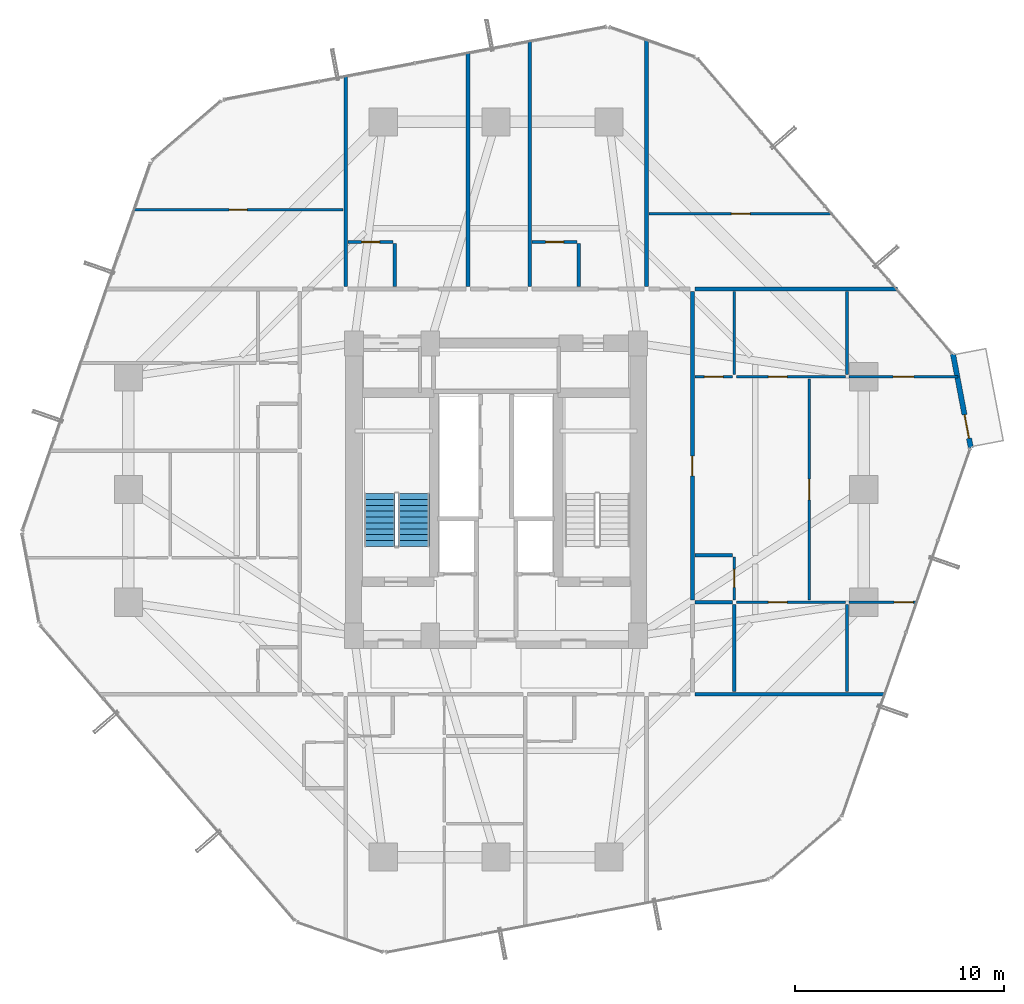
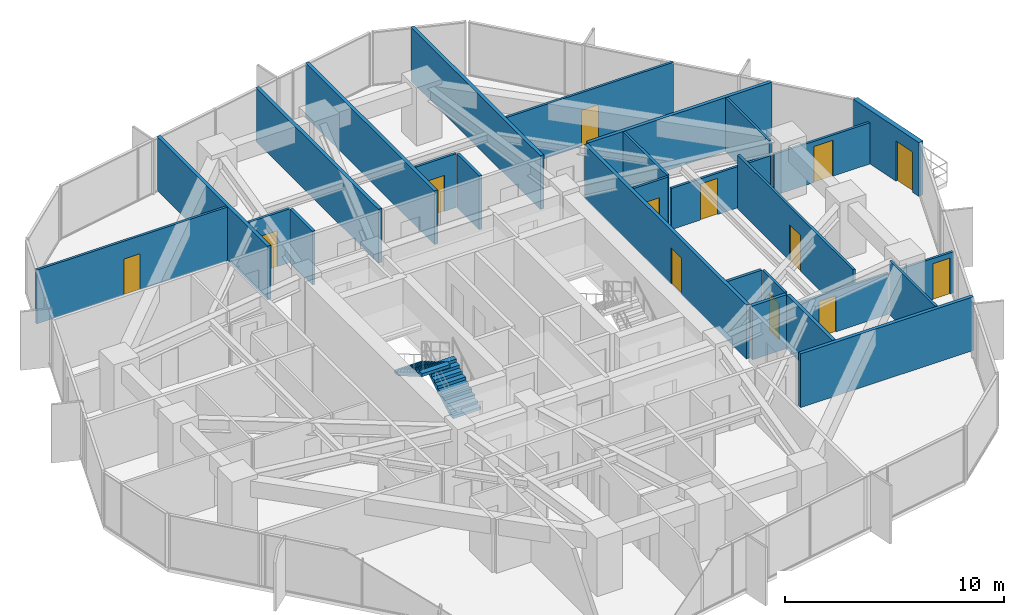
# One storey, part 35 of 38: 27 walls, 13 doors, 2 stair flights, 13 openings, 1 element without a shape of its own.
"""IFC4 building model written with IfcOpenShell, lengths in metres."""

from ifc_helpers import new_model, si_unit, direction, frame, frame_2d, origin, place, context, subcontext, project, spatial, polyline, rectangle, outline, extrude, source, transform, mapped, material, layer, layer_set, type_object, element, fill, aggregate, save


model = new_model("IFC4")

# Units and contexts
model_context = context("Model", 3, precision=1e-05, world=origin(), true_north=direction((0.0, 1.0)))
body_context = subcontext(model_context, "Body", "Model", "MODEL_VIEW")
ifc_project = project(units=[si_unit("LENGTHUNIT", "METRE"), si_unit("AREAUNIT", "SQUARE_METRE"), si_unit("VOLUMEUNIT", "CUBIC_METRE"), si_unit("PLANEANGLEUNIT", "RADIAN"), si_unit("MASSUNIT", "GRAM", prefix="KILO")], contexts=[model_context])

# Site, building, storey
site_placement = place(None, origin())
site = spatial("IfcSite", under=ifc_project, at=site_placement, CompositionType="ELEMENT")
building_placement = place(site_placement, origin())
building = spatial("IfcBuilding", under=site, at=building_placement, Name="Veraguas Prism Commons", CompositionType="ELEMENT")
storey_placement = place(building_placement, frame((0.0, 0.0, 60.85009765625)))
storey = spatial("IfcBuildingStorey", under=building, at=storey_placement, Name="L16", CompositionType="ELEMENT", Elevation=60.85009765625)

# Walls
ifc_material_1 = material(Name="Autoclaved aerated masonry block 10 MPa", Category="masonry")
ifc_layer_1 = layer(ifc_material_1, 0.179931640625, Name="Corridor and Inter-Tenancy Partition 180", Category="masonry")
ifc_layer_set_1 = layer_set([ifc_layer_1], Name="Autoclaved aerated masonry block 10 MPa")
wall_type_1 = type_object("IfcWallType", Name="Corridor and Inter-Tenancy Partition 180", PredefinedType="PARTITIONING", material=ifc_layer_set_1)
wall_1_placement = place(storey_placement, frame((16.800048828125, 33.719970703125, 0.0), z_axis=(0.0, 0.0, 1.0), x_axis=(0.0, 1.0, 0.0)))
element("IfcWall", 1, at=wall_1_placement, inside=storey, type_object=wall_type_1, Name="WL-L16-PT015", PredefinedType="PARTITIONING", context=body_context, shape_type="SweptSolid", body=[
    extrude(rectangle(XDim=10.09765625, YDim=0.179931640625, at=frame_2d((5.048828125, 0.0))), origin(), (0.0, 0.0, 1.0), 3.0),
])
wall_2_placement = place(storey_placement, frame((31.199951171875, 33.719970703125, 0.0), z_axis=(0.0, 0.0, 1.0), x_axis=(0.0, 1.0, 0.0)))
element("IfcWall", 2, at=wall_2_placement, inside=storey, type_object=wall_type_1, Name="WL-L16-PT016", PredefinedType="PARTITIONING", context=body_context, shape_type="SweptSolid", body=[
    extrude(rectangle(XDim=11.842529296875, YDim=0.179931640625, at=frame_2d((5.92138671875, 0.0))), origin(), (0.0, 0.0, 1.0), 3.0),
])
wall_3_placement = place(storey_placement, frame((22.657958984375, 33.719970703125, 0.0), z_axis=(0.0, 0.0, 1.0), x_axis=(0.0, 1.0, 0.0)))
element("IfcWall", 3, at=wall_3_placement, inside=storey, type_object=wall_type_1, Name="WL-L16-PT018", PredefinedType="PARTITIONING", context=body_context, shape_type="SweptSolid", body=[
    extrude(rectangle(XDim=11.213134765625, YDim=0.179931640625, at=frame_2d((5.6064453125, 0.0))), origin(), (0.0, 0.0, 1.0), 3.0),
])
wall_4_placement = place(storey_placement, frame((25.60791015625, 33.719970703125, 0.0), z_axis=(0.0, 0.0, 1.0), x_axis=(0.0, 1.0, 0.0)))
element("IfcWall", 4, at=wall_4_placement, inside=storey, type_object=wall_type_1, Name="WL-L16-PT022", PredefinedType="PARTITIONING", context=body_context, shape_type="SweptSolid", body=[
    extrude(rectangle(XDim=11.774658203125, YDim=0.179931640625, at=frame_2d((5.88720703125, 0.0))), origin(), (0.0, 0.0, 1.0), 3.0),
])
wall_5_placement = place(storey_placement, frame((33.52001953125, 14.199951171875, 0.0), z_axis=(0.0, 0.0, 1.0), x_axis=(1.0, 0.0, 0.0)))
element("IfcWall", 5, at=wall_5_placement, inside=storey, type_object=wall_type_1, Name="WL-L16-PT043", PredefinedType="PARTITIONING", context=body_context, shape_type="SweptSolid", body=[
    extrude(rectangle(XDim=9.106689453125, YDim=0.179931640625, at=frame_2d((4.55322265625, 0.0))), origin(), (0.0, 0.0, 1.0), 3.0),
])
wall_6_placement = place(storey_placement, frame((33.52001953125, 33.60009765625, 0.0), z_axis=(0.0, 0.0, 1.0), x_axis=(1.0, 0.0, 0.0)))
element("IfcWall", 6, at=wall_6_placement, inside=storey, type_object=wall_type_1, Name="WL-L16-PT044", PredefinedType="PARTITIONING", context=body_context, shape_type="SweptSolid", body=[
    extrude(rectangle(XDim=9.6875, YDim=0.179931640625, at=frame_2d((4.84375, 0.0))), origin(), (0.0, 0.0, 1.0), 3.0),
])

# Wall, opening, door
wall_7_placement = place(storey_placement, frame((33.39990234375, 18.7099609375, 0.0), z_axis=(0.0, 0.0, 1.0), x_axis=(0.0, 1.0, 0.0)))
wall_7 = element("IfcWall", 7, at=wall_7_placement, inside=storey, type_object=wall_type_1, Name="WL-L16-PT046", PredefinedType="PARTITIONING", context=body_context, shape_type="SweptSolid", body=[
    extrude(rectangle(XDim=14.780029296875, YDim=0.179931640625, at=frame_2d((7.39013671875, 0.0))), origin(), (0.0, 0.0, 1.0), 3.0),
])
opening_1_placement = place(wall_7_placement, frame((5.93994140625, 0.0, 0.0)))
opening_1 = element("IfcOpeningElement", 8, at=opening_1_placement, cuts=wall_7, Name="Opening DR-01", PredefinedType="OPENING", context=body_context, shape_type="SweptSolid", body=[
    extrude(rectangle(XDim=0.949951171875, YDim=2.02001953125, at=frame_2d((0.47509765625, 1.010009765625))), frame((0.0, 0.099853515625, 0.0), z_axis=(0.0, -1.0, 0.0), x_axis=(1.0, 0.0, 0.0)), (0.0, 0.0, 1.0), 0.199951171875),
])
ifc_material_2 = material(Name="Anodised aluminium EN AW-6063 T6", Category="aluminium")
door_type_1 = type_object("IfcDoorType", Name="Apartment Entrance Fire Door 950x2020", OperationType="NOTDEFINED", PredefinedType="DOOR", material=ifc_material_2)
shared_shape_1 = source(origin(), body_context, "Body", "SweptSolid", [
    extrude(rectangle(XDim=0.949951171875, YDim=2.02001953125, at=frame_2d((0.47509765625, 1.010009765625))), frame((0.0, 0.02490234375, 0.0), z_axis=(0.0, -1.0, 0.0), x_axis=(1.0, 0.0, 0.0)), (0.0, 0.0, 1.0), 0.050048828125),
])
door_1_placement = place(opening_1_placement, origin())
door_1 = element("IfcDoor", 9, at=door_1_placement, inside=storey, type_object=door_type_1, Name="Flat 16G Entrance Door", OperationType="SINGLE_SWING_RIGHT", OverallHeight=2.02001953125, OverallWidth=0.949951171875, PredefinedType="DOOR", context=body_context, shape_type="MappedRepresentation", body=[
    mapped(shared_shape_1, transform((0.0, 0.0, 0.0), scale=1.0)),
])
fill(opening_1, door_1)

# Walls
wall_8_placement = place(storey_placement, frame((35.39990234375, 14.320068359375, 0.0), z_axis=(0.0, 0.0, 1.0), x_axis=(0.0, 1.0, 0.0)))
element("IfcWall", 10, at=wall_8_placement, inside=storey, type_object=wall_type_1, Name="WL-L16-PT052", PredefinedType="PARTITIONING", context=body_context, shape_type="SweptSolid", body=[
    extrude(rectangle(XDim=4.179931640625, YDim=0.179931640625, at=frame_2d((2.08984375, 0.0))), origin(), (0.0, 0.0, 1.0), 3.0),
])
wall_9_placement = place(storey_placement, frame((33.52001953125, 18.60009765625, 0.0), z_axis=(0.0, 0.0, 1.0), x_axis=(1.0, 0.0, 0.0)))
element("IfcWall", 11, at=wall_9_placement, inside=storey, type_object=wall_type_1, Name="WL-L16-PT053", PredefinedType="PARTITIONING", context=body_context, shape_type="SweptSolid", body=[
    extrude(rectangle(XDim=1.800048828125, YDim=0.179931640625, at=frame_2d((0.89990234375, 0.0))), origin(), (0.0, 0.0, 1.0), 3.0),
])

# Wall, opening, door
ifc_material_3 = material(Name="Precast concrete C40/50", Category="concrete")
ifc_layer_2 = layer(ifc_material_3, 0.25, Name="External Loggia and Portal Wall 250", Category="concrete")
ifc_layer_set_2 = layer_set([ifc_layer_2], Name="Precast concrete C40/50")
wall_type_2 = type_object("IfcWallType", Name="External Loggia and Portal Wall 250", PredefinedType="SOLIDWALL", material=ifc_layer_set_2)
wall_10_placement = place(storey_placement, frame((46.728759765625, 25.996337890625, 0.0), z_axis=(0.0, 0.0, 1.0), x_axis=(-0.187045972391, 0.982351161353, 0.0)))
wall_10 = element("IfcWall", 12, at=wall_10_placement, inside=storey, type_object=wall_type_2, Name="Corner Loggia Wall L16-C1", PredefinedType="SOLIDWALL", context=body_context, shape_type="SweptSolid", body=[
    extrude(rectangle(XDim=4.580078125, YDim=0.25, at=frame_2d((2.2900390625, 0.0))), origin(), (0.0, 0.0, 1.0), 3.0),
])
opening_2_placement = place(wall_10_placement, frame((0.4599609375, 0.0, 0.0)))
opening_2 = element("IfcOpeningElement", 13, at=opening_2_placement, cuts=wall_10, Name="Opening DR-10", PredefinedType="OPENING", context=body_context, shape_type="SweptSolid", body=[
    extrude(rectangle(XDim=1.14990234375, YDim=2.25, at=frame_2d((0.574951171875, 1.125))), frame((0.0, 0.135009765625, 0.0), z_axis=(0.0, -1.0, 0.0), x_axis=(1.0, 0.0, 0.0)), (0.0, 0.0, 1.0), 0.27001953125),
])
door_type_2 = type_object("IfcDoorType", Name="Glazed Loggia and Terrace Door 1150x2250", OperationType="NOTDEFINED", PredefinedType="DOOR", material=ifc_material_2)
shared_shape_2 = source(origin(), body_context, "Body", "SweptSolid", [
    extrude(rectangle(XDim=1.14990234375, YDim=2.25, at=frame_2d((0.574951171875, 1.125))), frame((0.0, 0.02490234375, 0.0), z_axis=(0.0, -1.0, 0.0), x_axis=(1.0, 0.0, 0.0)), (0.0, 0.0, 1.0), 0.050048828125),
])
door_2_placement = place(opening_2_placement, frame((1.14990234375, 0.0, 0.0), z_axis=(0.0, 0.0, 1.0), x_axis=(-1.0, 0.0, 0.0)))
door_2 = element("IfcDoor", 14, at=door_2_placement, inside=storey, type_object=door_type_2, Name="Recessed Loggia Door L16-C1", OperationType="SINGLE_SWING_RIGHT", OverallHeight=2.25, OverallWidth=1.14990234375, PredefinedType="DOOR", context=body_context, shape_type="MappedRepresentation", body=[
    mapped(shared_shape_2, transform((0.0, 0.0, 0.0), scale=1.0)),
])
fill(opening_2, door_2)

ifc_material_4 = material(Name="Lightweight acoustic gypsum board")
ifc_layer_3 = layer(ifc_material_4, 0.125, Name="Internal Apartment Room Partition 125")
ifc_layer_set_3 = layer_set([ifc_layer_3], Name="Lightweight acoustic gypsum board")
wall_type_3 = type_object("IfcWallType", Name="Internal Apartment Room Partition 125", PredefinedType="PARTITIONING", material=ifc_layer_set_3)
wall_11_placement = place(storey_placement, frame((16.919921875, 35.85009765625, 0.0), z_axis=(0.0, 0.0, 1.0), x_axis=(1.0, 0.0, 0.0)))
wall_11 = element("IfcWall", 15, at=wall_11_placement, inside=storey, type_object=wall_type_3, Name="WL-L16-PT021", PredefinedType="PARTITIONING", context=body_context, shape_type="SweptSolid", body=[
    extrude(rectangle(XDim=2.150146484375, YDim=0.125, at=frame_2d((1.0751953125, 0.0))), origin(), (0.0, 0.0, 1.0), 3.0),
])
opening_3_placement = place(wall_11_placement, frame((0.64501953125, 0.0, 0.0)))
opening_3 = element("IfcOpeningElement", 16, at=opening_3_placement, cuts=wall_11, Name="Opening DR-03", PredefinedType="OPENING", context=body_context, shape_type="SweptSolid", body=[
    extrude(rectangle(XDim=0.860107421875, YDim=2.010009765625, at=frame_2d((0.43017578125, 1.0048828125))), frame((0.0, 0.072509765625, 0.0), z_axis=(0.0, -1.0, 0.0), x_axis=(1.0, 0.0, 0.0)), (0.0, 0.0, 1.0), 0.14501953125),
])
ifc_material_5 = material(Name="Timber moisture-resistant leaf", Category="wood")
door_type_3 = type_object("IfcDoorType", Name="Internal Bathroom Door 860x2010", OperationType="NOTDEFINED", PredefinedType="DOOR", material=ifc_material_5)
shared_shape_3 = source(origin(), body_context, "Body", "SweptSolid", [
    extrude(rectangle(XDim=0.860107421875, YDim=2.010009765625, at=frame_2d((0.43017578125, 1.0048828125))), frame((0.0, 0.02490234375, 0.0), z_axis=(0.0, -1.0, 0.0), x_axis=(1.0, 0.0, 0.0)), (0.0, 0.0, 1.0), 0.050048828125),
])
door_3_placement = place(opening_3_placement, origin())
door_3 = element("IfcDoor", 17, at=door_3_placement, inside=storey, type_object=door_type_3, Name="Studio 16C Bathroom Door", OperationType="SINGLE_SWING_LEFT", OverallHeight=2.010009765625, OverallWidth=0.860107421875, PredefinedType="DOOR", context=body_context, shape_type="MappedRepresentation", body=[
    mapped(shared_shape_3, transform((0.0, 0.0, 0.0), scale=1.0)),
])
fill(opening_3, door_3)

wall_12_placement = place(storey_placement, frame((25.72802734375, 35.85009765625, 0.0), z_axis=(0.0, 0.0, 1.0), x_axis=(1.0, 0.0, 0.0)))
wall_12 = element("IfcWall", 18, at=wall_12_placement, inside=storey, type_object=wall_type_3, Name="WL-L16-PT025", PredefinedType="PARTITIONING", context=body_context, shape_type="SweptSolid", body=[
    extrude(rectangle(XDim=2.14990234375, YDim=0.125, at=frame_2d((1.074951171875, 0.0))), origin(), (0.0, 0.0, 1.0), 3.0),
])
opening_4_placement = place(wall_12_placement, frame((0.64501953125, 0.0, 0.0)))
opening_4 = element("IfcOpeningElement", 19, at=opening_4_placement, cuts=wall_12, Name="Opening DR-03", PredefinedType="OPENING", context=body_context, shape_type="SweptSolid", body=[
    extrude(rectangle(XDim=0.860107421875, YDim=2.010009765625, at=frame_2d((0.43017578125, 1.0048828125))), frame((0.0, 0.072509765625, 0.0), z_axis=(0.0, -1.0, 0.0), x_axis=(1.0, 0.0, 0.0)), (0.0, 0.0, 1.0), 0.14501953125),
])
door_4_placement = place(opening_4_placement, origin())
door_4 = element("IfcDoor", 20, at=door_4_placement, inside=storey, type_object=door_type_3, Name="Studio 16D Bathroom Door", OperationType="SINGLE_SWING_LEFT", OverallHeight=2.010009765625, OverallWidth=0.860107421875, PredefinedType="DOOR", context=body_context, shape_type="MappedRepresentation", body=[
    mapped(shared_shape_3, transform((0.0, 0.0, 0.0), scale=1.0)),
])
fill(opening_4, door_4)

# Wall
wall_13_placement = place(storey_placement, frame((40.800048828125, 14.320068359375, 0.0), z_axis=(0.0, 0.0, 1.0), x_axis=(0.0, 1.0, 0.0)))
element("IfcWall", 21, at=wall_13_placement, inside=storey, type_object=wall_type_3, Name="WL-L16-PT047", PredefinedType="PARTITIONING", context=body_context, shape_type="SweptSolid", body=[
    extrude(rectangle(XDim=4.179931640625, YDim=0.125, at=frame_2d((2.08984375, 0.0))), origin(), (0.0, 0.0, 1.0), 3.0),
])

# Wall, opening, door
wall_14_placement = place(storey_placement, frame((40.89990234375, 18.60009765625, 0.0), z_axis=(0.0, 0.0, 1.0), x_axis=(1.0, 0.0, 0.0)))
wall_14 = element("IfcWall", 22, at=wall_14_placement, inside=storey, type_object=wall_type_3, Name="WL-L16-PT048", PredefinedType="PARTITIONING", context=body_context, shape_type="SweptSolid", body=[
    extrude(rectangle(XDim=3.2607421875, YDim=0.125, at=frame_2d((1.63037109375, 0.0))), origin(), (0.0, 0.0, 1.0), 2.298828125),
])
opening_5_placement = place(wall_14_placement, frame((2.16064453125, 0.0, 0.0)))
opening_5 = element("IfcOpeningElement", 23, at=opening_5_placement, cuts=wall_14, Name="Opening DR-02", PredefinedType="OPENING", context=body_context, shape_type="SweptSolid", body=[
    extrude(rectangle(XDim=0.89990234375, YDim=2.010009765625, at=frame_2d((0.449951171875, 1.0048828125))), frame((0.0, 0.072509765625, 0.0), z_axis=(0.0, -1.0, 0.0), x_axis=(1.0, 0.0, 0.0)), (0.0, 0.0, 1.0), 0.14501953125),
])
ifc_material_6 = material(Name="Timber solid core hardwood", Category="wood")
door_type_4 = type_object("IfcDoorType", Name="Internal Habitable Room Door 900x2010", OperationType="NOTDEFINED", PredefinedType="DOOR", material=ifc_material_6)
shared_shape_4 = source(origin(), body_context, "Body", "SweptSolid", [
    extrude(rectangle(XDim=0.89990234375, YDim=2.010009765625, at=frame_2d((0.449951171875, 1.0048828125))), frame((0.0, 0.02490234375, 0.0), z_axis=(0.0, -1.0, 0.0), x_axis=(1.0, 0.0, 0.0)), (0.0, 0.0, 1.0), 0.050048828125),
])
door_5_placement = place(opening_5_placement, origin())
door_5 = element("IfcDoor", 24, at=door_5_placement, inside=storey, type_object=door_type_4, Name="Flat 16G Bedroom 3 Door", OperationType="SINGLE_SWING_LEFT", OverallHeight=2.010009765625, OverallWidth=0.89990234375, PredefinedType="DOOR", context=body_context, shape_type="MappedRepresentation", body=[
    mapped(shared_shape_4, transform((0.0, 0.0, 0.0), scale=1.0)),
])
fill(opening_5, door_5)

# Wall
wall_15_placement = place(storey_placement, frame((40.800048828125, 29.5, 0.0), z_axis=(0.0, 0.0, 1.0), x_axis=(0.0, 1.0, 0.0)))
element("IfcWall", 25, at=wall_15_placement, inside=storey, type_object=wall_type_3, Name="WL-L16-PT049", PredefinedType="PARTITIONING", context=body_context, shape_type="SweptSolid", body=[
    extrude(rectangle(XDim=3.97998046875, YDim=0.125, at=frame_2d((1.989990234375, 0.0))), origin(), (0.0, 0.0, 1.0), 3.0),
])

# Wall, opening, door
wall_16_placement = place(storey_placement, frame((40.89990234375, 29.39990234375, 0.0), z_axis=(0.0, 0.0, 1.0), x_axis=(1.0, 0.0, 0.0)))
wall_16 = element("IfcWall", 26, at=wall_16_placement, inside=storey, type_object=wall_type_3, Name="WL-L16-PT050", PredefinedType="PARTITIONING", context=body_context, shape_type="SweptSolid", body=[
    extrude(rectangle(XDim=5.211181640625, YDim=0.125, at=frame_2d((2.60546875, 0.0))), origin(), (0.0, 0.0, 1.0), 2.298828125),
])
opening_6_placement = place(wall_16_placement, frame((2.105712890625, 0.0, 0.0)))
opening_6 = element("IfcOpeningElement", 27, at=opening_6_placement, cuts=wall_16, Name="Opening DR-04", PredefinedType="OPENING", context=body_context, shape_type="SweptSolid", body=[
    extrude(rectangle(XDim=1.0, YDim=2.010009765625, at=frame_2d((0.5, 1.0048828125))), frame((0.0, 0.072509765625, 0.0), z_axis=(0.0, -1.0, 0.0), x_axis=(1.0, 0.0, 0.0)), (0.0, 0.0, 1.0), 0.14501953125),
])
door_type_5 = type_object("IfcDoorType", Name="Accessible WC and Clinic Exam Door 1000x2010", OperationType="NOTDEFINED", PredefinedType="DOOR", material=ifc_material_2)
shared_shape_5 = source(origin(), body_context, "Body", "SweptSolid", [
    extrude(rectangle(XDim=1.0, YDim=2.010009765625, at=frame_2d((0.5, 1.0048828125))), frame((0.0, 0.02490234375, 0.0), z_axis=(0.0, -1.0, 0.0), x_axis=(1.0, 0.0, 0.0)), (0.0, 0.0, 1.0), 0.050048828125),
])
door_6_placement = place(opening_6_placement, origin())
door_6 = element("IfcDoor", 28, at=door_6_placement, inside=storey, type_object=door_type_5, Name="Flat 16G Study Door", OperationType="SINGLE_SWING_RIGHT", OverallHeight=2.010009765625, OverallWidth=1.0, PredefinedType="DOOR", context=body_context, shape_type="MappedRepresentation", body=[
    mapped(shared_shape_5, transform((0.0, 0.0, 0.0), scale=1.0)),
])
fill(opening_6, door_6)

wall_17_placement = place(storey_placement, frame((39.0, 18.719970703125, 0.0), z_axis=(0.0, 0.0, 1.0), x_axis=(0.0, 1.0, 0.0)))
wall_17 = element("IfcWall", 29, at=wall_17_placement, inside=storey, type_object=wall_type_3, Name="WL-L16-PT051", PredefinedType="PARTITIONING", context=body_context, shape_type="SweptSolid", body=[
    extrude(rectangle(XDim=10.56005859375, YDim=0.125, at=frame_2d((5.280029296875, 0.0))), origin(), (0.0, 0.0, 1.0), 3.0),
])
opening_7_placement = place(wall_17_placement, frame((4.780029296875, 0.0, 0.0)))
opening_7 = element("IfcOpeningElement", 30, at=opening_7_placement, cuts=wall_17, Name="Opening DR-04", PredefinedType="OPENING", context=body_context, shape_type="SweptSolid", body=[
    extrude(rectangle(XDim=1.0, YDim=2.010009765625, at=frame_2d((0.5, 1.0048828125))), frame((0.0, 0.072509765625, 0.0), z_axis=(0.0, -1.0, 0.0), x_axis=(1.0, 0.0, 0.0)), (0.0, 0.0, 1.0), 0.14501953125),
])
door_7_placement = place(opening_7_placement, origin())
door_7 = element("IfcDoor", 31, at=door_7_placement, inside=storey, type_object=door_type_5, Name="Flat 16G Sunroom Door", OperationType="SINGLE_SWING_LEFT", OverallHeight=2.010009765625, OverallWidth=1.0, PredefinedType="DOOR", context=body_context, shape_type="MappedRepresentation", body=[
    mapped(shared_shape_5, transform((0.0, 0.0, 0.0), scale=1.0)),
])
fill(opening_7, door_7)

wall_18_placement = place(storey_placement, frame((35.5, 18.60009765625, 0.0), z_axis=(0.0, 0.0, 1.0), x_axis=(1.0, 0.0, 0.0)))
wall_18 = element("IfcWall", 32, at=wall_18_placement, inside=storey, type_object=wall_type_3, Name="WL-L16-PT054", PredefinedType="PARTITIONING", context=body_context, shape_type="SweptSolid", body=[
    extrude(rectangle(XDim=5.219970703125, YDim=0.125, at=frame_2d((2.60986328125, 0.0))), origin(), (0.0, 0.0, 1.0), 2.298828125),
])
opening_8_placement = place(wall_18_placement, frame((1.53271484375, 0.0, 0.0)))
opening_8 = element("IfcOpeningElement", 33, at=opening_8_placement, cuts=wall_18, Name="Opening DR-02", PredefinedType="OPENING", context=body_context, shape_type="SweptSolid", body=[
    extrude(rectangle(XDim=0.89990234375, YDim=2.010009765625, at=frame_2d((0.449951171875, 1.0048828125))), frame((0.0, 0.072509765625, 0.0), z_axis=(0.0, -1.0, 0.0), x_axis=(1.0, 0.0, 0.0)), (0.0, 0.0, 1.0), 0.14501953125),
])
door_8_placement = place(opening_8_placement, origin())
door_8 = element("IfcDoor", 34, at=door_8_placement, inside=storey, type_object=door_type_4, Name="Flat 16G Bedroom 2 Door", OperationType="SINGLE_SWING_RIGHT", OverallHeight=2.010009765625, OverallWidth=0.89990234375, PredefinedType="DOOR", context=body_context, shape_type="MappedRepresentation", body=[
    mapped(shared_shape_4, transform((0.0, 0.0, 0.0), scale=1.0)),
])
fill(opening_8, door_8)

wall_19_placement = place(storey_placement, frame((35.39990234375, 18.719970703125, 0.0), z_axis=(0.0, 0.0, 1.0), x_axis=(0.0, 1.0, 0.0)))
wall_19 = element("IfcWall", 35, at=wall_19_placement, inside=storey, type_object=wall_type_3, Name="WL-L16-PT056", PredefinedType="PARTITIONING", context=body_context, shape_type="SweptSolid", body=[
    extrude(rectangle(XDim=2.050048828125, YDim=0.125, at=frame_2d((1.02490234375, 0.0))), origin(), (0.0, 0.0, 1.0), 3.0),
])
opening_9_placement = place(wall_19_placement, frame((0.594970703125, 0.0, 0.0)))
opening_9 = element("IfcOpeningElement", 36, at=opening_9_placement, cuts=wall_19, Name="Opening DR-03", PredefinedType="OPENING", context=body_context, shape_type="SweptSolid", body=[
    extrude(rectangle(XDim=0.860107421875, YDim=2.010009765625, at=frame_2d((0.43017578125, 1.0048828125))), frame((0.0, 0.072509765625, 0.0), z_axis=(0.0, -1.0, 0.0), x_axis=(1.0, 0.0, 0.0)), (0.0, 0.0, 1.0), 0.14501953125),
])
door_9_placement = place(opening_9_placement, origin())
door_9 = element("IfcDoor", 37, at=door_9_placement, inside=storey, type_object=door_type_3, Name="Flat 16G Bathroom Door", OperationType="SINGLE_SWING_LEFT", OverallHeight=2.010009765625, OverallWidth=0.860107421875, PredefinedType="DOOR", context=body_context, shape_type="MappedRepresentation", body=[
    mapped(shared_shape_3, transform((0.0, 0.0, 0.0), scale=1.0)),
])
fill(opening_9, door_9)

wall_20_placement = place(storey_placement, frame((33.52001953125, 29.39990234375, 0.0), z_axis=(0.0, 0.0, 1.0), x_axis=(1.0, 0.0, 0.0)))
wall_20 = element("IfcWall", 38, at=wall_20_placement, inside=storey, type_object=wall_type_3, Name="WL-L16-PT057", PredefinedType="PARTITIONING", context=body_context, shape_type="SweptSolid", body=[
    extrude(rectangle(XDim=1.800048828125, YDim=0.125, at=frame_2d((0.89990234375, 0.0))), origin(), (0.0, 0.0, 1.0), 3.0),
])
opening_10_placement = place(wall_20_placement, frame((0.449951171875, 0.0, 0.0)))
opening_10 = element("IfcOpeningElement", 39, at=opening_10_placement, cuts=wall_20, Name="Opening DR-02", PredefinedType="OPENING", context=body_context, shape_type="SweptSolid", body=[
    extrude(rectangle(XDim=0.89990234375, YDim=2.010009765625, at=frame_2d((0.449951171875, 1.0048828125))), frame((0.0, 0.072509765625, 0.0), z_axis=(0.0, -1.0, 0.0), x_axis=(1.0, 0.0, 0.0)), (0.0, 0.0, 1.0), 0.14501953125),
])
door_10_placement = place(opening_10_placement, origin())
door_10 = element("IfcDoor", 40, at=door_10_placement, inside=storey, type_object=door_type_4, Name="Flat 16G Kitchen Door", OperationType="SINGLE_SWING_RIGHT", OverallHeight=2.010009765625, OverallWidth=0.89990234375, PredefinedType="DOOR", context=body_context, shape_type="MappedRepresentation", body=[
    mapped(shared_shape_4, transform((0.0, 0.0, 0.0), scale=1.0)),
])
fill(opening_10, door_10)

# Wall
wall_21_placement = place(storey_placement, frame((35.39990234375, 29.5, 0.0), z_axis=(0.0, 0.0, 1.0), x_axis=(0.0, 1.0, 0.0)))
element("IfcWall", 41, at=wall_21_placement, inside=storey, type_object=wall_type_3, Name="WL-L16-PT058", PredefinedType="PARTITIONING", context=body_context, shape_type="SweptSolid", body=[
    extrude(rectangle(XDim=3.97998046875, YDim=0.125, at=frame_2d((1.989990234375, 0.0))), origin(), (0.0, 0.0, 1.0), 3.0),
])

# Wall, opening, door
wall_22_placement = place(storey_placement, frame((35.5, 29.39990234375, 0.0), z_axis=(0.0, 0.0, 1.0), x_axis=(1.0, 0.0, 0.0)))
wall_22 = element("IfcWall", 42, at=wall_22_placement, inside=storey, type_object=wall_type_3, Name="WL-L16-PT059", PredefinedType="PARTITIONING", context=body_context, shape_type="SweptSolid", body=[
    extrude(rectangle(XDim=5.219970703125, YDim=0.125, at=frame_2d((2.60986328125, 0.0))), origin(), (0.0, 0.0, 1.0), 2.298828125),
])
opening_11_placement = place(wall_22_placement, frame((1.53271484375, 0.0, 0.0)))
opening_11 = element("IfcOpeningElement", 43, at=opening_11_placement, cuts=wall_22, Name="Opening DR-02", PredefinedType="OPENING", context=body_context, shape_type="SweptSolid", body=[
    extrude(rectangle(XDim=0.89990234375, YDim=2.010009765625, at=frame_2d((0.449951171875, 1.0048828125))), frame((0.0, 0.072509765625, 0.0), z_axis=(0.0, -1.0, 0.0), x_axis=(1.0, 0.0, 0.0)), (0.0, 0.0, 1.0), 0.14501953125),
])
door_11_placement = place(opening_11_placement, origin())
door_11 = element("IfcDoor", 44, at=door_11_placement, inside=storey, type_object=door_type_4, Name="Flat 16G Bedroom 1 Door", OperationType="SINGLE_SWING_LEFT", OverallHeight=2.010009765625, OverallWidth=0.89990234375, PredefinedType="DOOR", context=body_context, shape_type="MappedRepresentation", body=[
    mapped(shared_shape_4, transform((0.0, 0.0, 0.0), scale=1.0)),
])
fill(opening_11, door_11)

wall_23_placement = place(storey_placement, frame((6.62841796875, 37.39990234375, 0.0), z_axis=(0.0, 0.0, 1.0), x_axis=(1.0, 0.0, 0.0)))
wall_23 = element("IfcWall", 45, at=wall_23_placement, inside=storey, type_object=wall_type_3, Name="WL-L16-PT066", PredefinedType="PARTITIONING", context=body_context, shape_type="SweptSolid", body=[
    extrude(rectangle(XDim=10.051513671875, YDim=0.125, at=frame_2d((5.02587890625, 0.0))), origin(), (0.0, 0.0, 1.0), 3.0),
])
opening_12_placement = place(wall_23_placement, frame((4.595703125, 0.0, 0.0)))
opening_12 = element("IfcOpeningElement", 46, at=opening_12_placement, cuts=wall_23, Name="Opening DR-03", PredefinedType="OPENING", context=body_context, shape_type="SweptSolid", body=[
    extrude(rectangle(XDim=0.860107421875, YDim=2.010009765625, at=frame_2d((0.43017578125, 1.0048828125))), frame((0.0, 0.072509765625, 0.0), z_axis=(0.0, -1.0, 0.0), x_axis=(1.0, 0.0, 0.0)), (0.0, 0.0, 1.0), 0.14501953125),
])
door_12_placement = place(opening_12_placement, origin())
door_12 = element("IfcDoor", 47, at=door_12_placement, inside=storey, type_object=door_type_3, Name="Corner Store NW Door", OperationType="SINGLE_SWING_RIGHT", OverallHeight=2.010009765625, OverallWidth=0.860107421875, PredefinedType="DOOR", context=body_context, shape_type="MappedRepresentation", body=[
    mapped(shared_shape_3, transform((0.0, 0.0, 0.0), scale=1.0)),
])
fill(opening_12, door_12)

wall_24_placement = place(storey_placement, frame((31.320068359375, 37.199951171875, 0.0), z_axis=(0.0, 0.0, 1.0), x_axis=(1.0, 0.0, 0.0)))
wall_24 = element("IfcWall", 48, at=wall_24_placement, inside=storey, type_object=wall_type_3, Name="WL-L16-PT068", PredefinedType="PARTITIONING", context=body_context, shape_type="SweptSolid", body=[
    extrude(rectangle(XDim=8.7822265625, YDim=0.125, at=frame_2d((4.39111328125, 0.0))), origin(), (0.0, 0.0, 1.0), 3.0),
])
opening_13_placement = place(wall_24_placement, frame((3.941162109375, 0.0, 0.0)))
opening_13 = element("IfcOpeningElement", 49, at=opening_13_placement, cuts=wall_24, Name="Opening DR-02", PredefinedType="OPENING", context=body_context, shape_type="SweptSolid", body=[
    extrude(rectangle(XDim=0.89990234375, YDim=2.010009765625, at=frame_2d((0.449951171875, 1.0048828125))), frame((0.0, 0.072509765625, 0.0), z_axis=(0.0, -1.0, 0.0), x_axis=(1.0, 0.0, 0.0)), (0.0, 0.0, 1.0), 0.14501953125),
])
door_13_placement = place(opening_13_placement, origin())
door_13 = element("IfcDoor", 50, at=door_13_placement, inside=storey, type_object=door_type_4, Name="Craft Room NE Door", OperationType="SINGLE_SWING_RIGHT", OverallHeight=2.010009765625, OverallWidth=0.89990234375, PredefinedType="DOOR", context=body_context, shape_type="MappedRepresentation", body=[
    mapped(shared_shape_4, transform((0.0, 0.0, 0.0), scale=1.0)),
])
fill(opening_13, door_13)

# Walls
ifc_layer_4 = layer(ifc_material_4, 0.14990234375, Name="Wet Room and Clinic Acoustic Partition 150")
ifc_layer_set_4 = layer_set([ifc_layer_4], Name="Lightweight acoustic gypsum board")
wall_type_4 = type_object("IfcWallType", Name="Wet Room and Clinic Acoustic Partition 150", PredefinedType="PARTITIONING", material=ifc_layer_set_4)
for number, where, z_axis, x_axis, name in (
    (51, (19.14990234375, 33.719970703125, 0.0), (0.0, 0.0, 1.0), (0.0, 1.0, 0.0), "WL-L16-PT020"),
    (52, (27.9580078125, 33.719970703125, 0.0), (0.0, 0.0, 1.0), (0.0, 1.0, 0.0), "WL-L16-PT024"),
):
    element("IfcWall", number, at=place(storey_placement, frame(where, z_axis=z_axis, x_axis=x_axis)), inside=storey, type_object=wall_type_4, Name=name, PredefinedType="PARTITIONING", context=body_context, shape_type="SweptSolid", body=[
        extrude(rectangle(XDim=2.050048828125, YDim=0.14990234375, at=frame_2d((1.02490234375, 0.0))), origin(), (0.0, 0.0, 1.0), 3.0),
    ])
wall_25_placement = place(storey_placement, frame((33.52001953125, 20.85009765625, 0.0), z_axis=(0.0, 0.0, 1.0), x_axis=(1.0, 0.0, 0.0)))
element("IfcWall", 53, at=wall_25_placement, inside=storey, type_object=wall_type_4, Name="WL-L16-PT055", PredefinedType="PARTITIONING", context=body_context, shape_type="SweptSolid", body=[
    extrude(rectangle(XDim=1.800048828125, YDim=0.14990234375, at=frame_2d((0.89990234375, 0.0))), origin(), (0.0, 0.0, 1.0), 3.0),
])

# Stair, stair flights
ifc_material_7 = material(Name="Precast concrete C45/55", Category="concrete")
stair_type = type_object("IfcStairType", Name="Dogleg Core Stair 1480W 20R 05", PredefinedType="HALF_TURN_STAIR", material=ifc_material_7)
stair_placement = place(storey_placement, origin())
stair = element("IfcStair", 54, at=stair_placement, inside=storey, type_object=stair_type, Name="Protected Exit Stair ST-01 L16", PredefinedType="HALF_TURN_STAIR")
stair_flight_type = type_object("IfcStairFlightType", Name="Precast Stair Flight 1480W 10R 05", PredefinedType="STRAIGHT", material=ifc_material_7)
stair_flight_1_placement = place(storey_placement, frame((20.06005859375, 21.280029296875, 0.0), z_axis=(0.0, 0.0, 1.0), x_axis=(0.0, 1.0, 0.0)))
stair_flight_1 = element("IfcStairFlight", 55, at=stair_flight_1_placement, type_object=stair_flight_type, Name="ST-05 Flight 1", NumberOfRisers=10, NumberOfTreads=9, PredefinedType="STRAIGHT", RiserHeight=0.1625, TreadLength=0.28, context=body_context, shape_type="SweptSolid", body=[
    extrude(outline(polyline([(0.0, 0.0), (0.0, 0.16259765625), (0.280029296875, 0.16259765625), (0.280029296875, 0.324951171875), (0.56005859375, 0.324951171875), (0.56005859375, 0.487548828125), (0.840087890625, 0.487548828125), (0.840087890625, 0.64990234375), (1.1201171875, 0.64990234375), (1.1201171875, 0.8125), (1.39990234375, 0.8125), (1.39990234375, 0.97509765625), (1.679931640625, 0.97509765625), (1.679931640625, 1.137451171875), (1.9599609375, 1.137451171875), (1.9599609375, 1.300048828125), (2.239990234375, 1.300048828125), (2.239990234375, 1.46240234375), (2.52001953125, 1.46240234375), (2.52001953125, 1.625), (2.52001953125, 1.2890625), (0.298583984375, 0.0), (0.0, 0.0)])), frame((0.0, 0.739990234375, 0.0), z_axis=(0.0, -1.0, 0.0), x_axis=(1.0, 0.0, 0.0)), (0.0, 0.0, 1.0), 1.47998046875),
])
stair_flight_2_placement = place(storey_placement, frame((18.429931640625, 23.800048828125, 1.625), z_axis=(0.0, 0.0, 1.0), x_axis=(0.0, -1.0, 0.0)))
stair_flight_2 = element("IfcStairFlight", 56, at=stair_flight_2_placement, type_object=stair_flight_type, Name="ST-05 Flight 2", NumberOfRisers=10, NumberOfTreads=9, PredefinedType="STRAIGHT", RiserHeight=0.1625, TreadLength=0.28, context=body_context, shape_type="SweptSolid", body=[
    extrude(outline(polyline([(0.0, 0.0), (0.0, 0.16259765625), (0.280029296875, 0.16259765625), (0.280029296875, 0.324951171875), (0.56005859375, 0.324951171875), (0.56005859375, 0.487548828125), (0.840087890625, 0.487548828125), (0.840087890625, 0.64990234375), (1.1201171875, 0.64990234375), (1.1201171875, 0.8125), (1.39990234375, 0.8125), (1.39990234375, 0.97509765625), (1.679931640625, 0.97509765625), (1.679931640625, 1.137451171875), (1.9599609375, 1.137451171875), (1.9599609375, 1.300048828125), (2.239990234375, 1.300048828125), (2.239990234375, 1.46240234375), (2.52001953125, 1.46240234375), (2.52001953125, 1.625), (2.52001953125, 1.2890625), (0.298583984375, 0.0), (0.0, 0.0)])), frame((0.0, 0.739990234375, 0.0), z_axis=(0.0, -1.0, 0.0), x_axis=(1.0, 0.0, 0.0)), (0.0, 0.0, 1.0), 1.47998046875),
])
aggregate(stair, [stair_flight_1, stair_flight_2])

save(model, "model.ifc")
